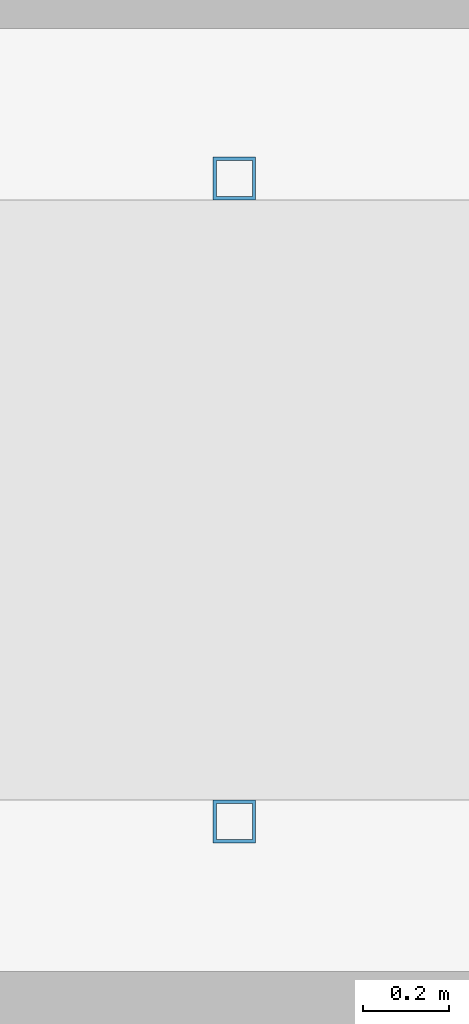
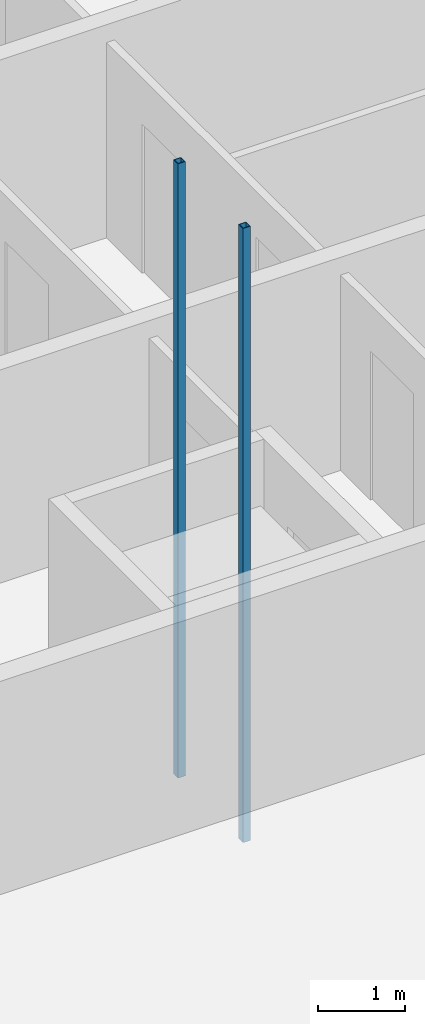
# One storey, part 22 of 112: 2 members.
"""IFC4 building model written with IfcOpenShell, lengths in metres."""

from ifc_helpers import new_model, si_unit, direction, frame, origin, origin_2d, place, context, subcontext, project, spatial, hollow_rectangle, extrude, material, material_profile, profile_set, type_object, element, save


model = new_model("IFC4")

# Units and contexts
model_context = context("Model", 3, precision=1e-05, world=origin(), true_north=direction((0.0, 1.0)))
body_context = subcontext(model_context, "Body", "Model", "MODEL_VIEW")
ifc_project = project(units=[si_unit("LENGTHUNIT", "METRE"), si_unit("AREAUNIT", "SQUARE_METRE"), si_unit("VOLUMEUNIT", "CUBIC_METRE"), si_unit("PLANEANGLEUNIT", "RADIAN"), si_unit("MASSUNIT", "GRAM", prefix="KILO")], contexts=[model_context])

# Site, building, storey
site_placement = place(None, origin())
site = spatial("IfcSite", under=ifc_project, at=site_placement, CompositionType="ELEMENT")
building_placement = place(site_placement, origin())
building = spatial("IfcBuilding", under=site, at=building_placement, Name="Ridgestep Commons", CompositionType="ELEMENT")
storey_placement = place(building_placement, origin())
storey = spatial("IfcBuildingStorey", under=building, at=storey_placement, Name="L00", CompositionType="ELEMENT", Elevation=0.0)

# Members
ifc_material = material(Name="Structural steel S355JR", Category="steel")
ifc_material_profile = material_profile(ifc_material, hollow_rectangle(XDim=0.10009765625, YDim=0.10009765625, WallThickness=0.008056640625, at=origin_2d()), Name="RHS 100x100x8")
ifc_profile_set = profile_set([ifc_material_profile], Name="Structural steel S355JR")
member_type = type_object("IfcMemberType", Name="Community lift guide post 100 x 100", PredefinedType="POST", material=ifc_profile_set)
for number, where, z_axis, x_axis, name in (
    (1, (152.875, 38.300048828125, -1.050048828125), (0.0, 0.0, 1.0), (1.0, 0.0, 0.0), "Lift guide rail"),
    (2, (152.875, 39.800048828125, -1.050048828125), (0.0, 0.0, 1.0), (1.0, 0.0, 0.0), "Lift guide rail"),
):
    element("IfcMember", number, at=place(storey_placement, frame(where, z_axis=z_axis, x_axis=x_axis)), inside=storey, type_object=member_type, Name=name, PredefinedType="POST", context=body_context, shape_type="SweptSolid", body=[
        extrude(hollow_rectangle(XDim=0.10009765625, YDim=0.10009765625, WallThickness=0.008056640625, at=origin_2d()), origin(), (0.0, 0.0, 1.0), 8.650146484375),
    ])

save(model, "model.ifc")
